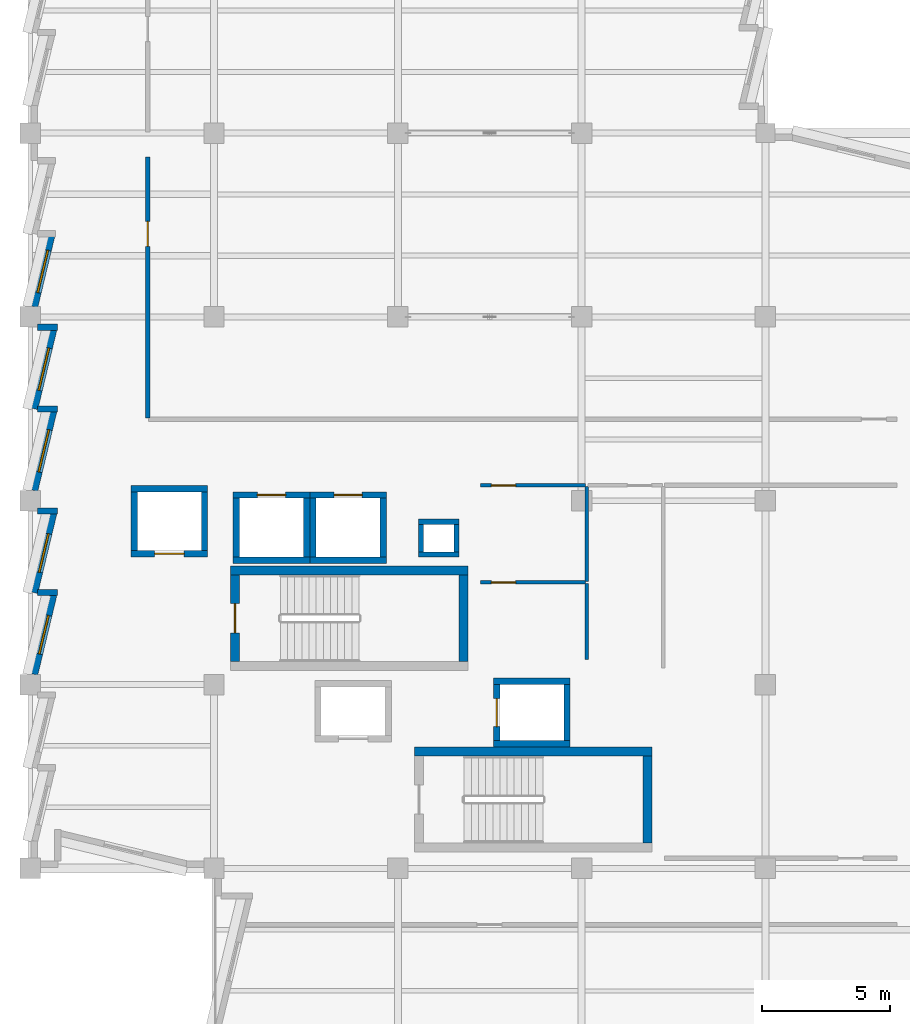
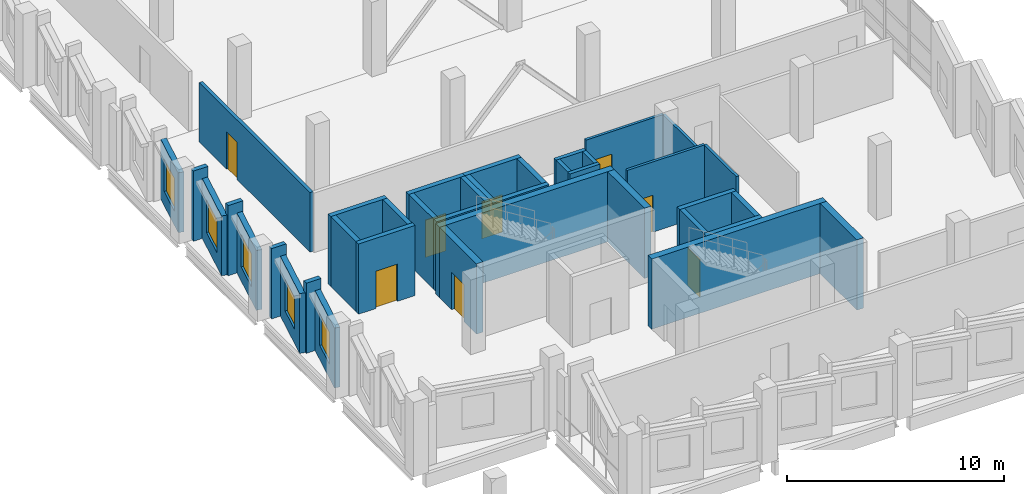
# One storey, part 67 of 94: 39 walls, 8 doors, 5 windows, 13 openings.
"""IFC4 building model written with IfcOpenShell, lengths in metres."""

from ifc_helpers import new_model, si_unit, direction, frame, frame_2d, origin, place, context, subcontext, project, spatial, rectangle, extrude, material, layer, layer_set, type_object, element, fill, save


model = new_model("IFC4")

# Units and contexts
model_context = context("Model", 3, precision=1e-05, world=origin(), true_north=direction((0.0, 1.0)))
body_context = subcontext(model_context, "Body", "Model", "MODEL_VIEW")
ifc_project = project(units=[si_unit("LENGTHUNIT", "METRE"), si_unit("AREAUNIT", "SQUARE_METRE"), si_unit("VOLUMEUNIT", "CUBIC_METRE"), si_unit("PLANEANGLEUNIT", "RADIAN"), si_unit("MASSUNIT", "GRAM", prefix="KILO")], contexts=[model_context])

# Site, building, storey
site_placement = place(None, origin())
site = spatial("IfcSite", under=ifc_project, at=site_placement, CompositionType="ELEMENT")
building_placement = place(site_placement, origin())
building = spatial("IfcBuilding", under=site, at=building_placement, Name="Kalmorath City Hall", CompositionType="ELEMENT")
storey_placement = place(building_placement, frame((0.0, 0.0, 14.699951171875)))
storey = spatial("IfcBuildingStorey", under=building, at=storey_placement, Name="L03", CompositionType="ELEMENT", Elevation=14.699951171875)

# Wall
ifc_material_1 = material(Name="Concrete C50/60", Category="concrete")
ifc_layer_1 = layer(ifc_material_1, 0.35009765625)
ifc_layer_set_1 = layer_set([ifc_layer_1], Name="Concrete C50/60")
wall_type_1 = type_object("IfcWallType", Name="Concrete core shear wall 350", PredefinedType="SHEAR", material=ifc_layer_set_1)
wall_1_placement = place(storey_placement, frame((17.14990234375, 18.875, 0.0), z_axis=(0.0, 0.0, 1.0), x_axis=(-1.0, 0.0, 0.0)))
element("IfcWall", 1, at=wall_1_placement, inside=storey, type_object=wall_type_1, Name="L03 C1 stair core shear wall N", PredefinedType="SHEAR", context=body_context, shape_type="SweptSolid", body=[
    extrude(rectangle(XDim=9.2998046875, YDim=0.35009765625, at=frame_2d((4.64990234375, 0.0))), origin(), (0.0, 0.0, 1.0), 3.949951171875),
])

# Wall, opening, door
wall_2_placement = place(storey_placement, frame((8.02490234375, 18.699951171875, 0.0), z_axis=(0.0, 0.0, 1.0), x_axis=(0.0, -1.0, 0.0)))
wall_2 = element("IfcWall", 2, at=wall_2_placement, inside=storey, type_object=wall_type_1, Name="L03 C1 stair core shear wall W", PredefinedType="SHEAR", context=body_context, shape_type="SweptSolid", body=[
    extrude(rectangle(XDim=3.39990234375, YDim=0.35009765625, at=frame_2d((1.699951171875, 0.0))), origin(), (0.0, 0.0, 1.0), 3.949951171875),
])
opening_1_placement = place(wall_2_placement, frame((1.125, 0.0, 0.0)))
opening_1 = element("IfcOpeningElement", 3, at=opening_1_placement, cuts=wall_2, Name="Opening D-L03-005", PredefinedType="OPENING", context=body_context, shape_type="SweptSolid", body=[
    extrude(rectangle(XDim=1.14990234375, YDim=2.10009765625, at=frame_2d((0.574951171875, 1.050048828125))), frame((0.0, 0.18505859375, 0.0), z_axis=(0.0, -1.0, 0.0), x_axis=(1.0, 0.0, 0.0)), (0.0, 0.0, 1.0), 0.3701171875),
])
ifc_material_2 = material(Name="Galvanised steel fire door", Category="steel")
door_type_1 = type_object("IfcDoorType", Name="Stair enclosure 90-min fire door 1150x2100", OperationType="NOTDEFINED", PredefinedType="DOOR", material=ifc_material_2)
door_1_placement = place(opening_1_placement, frame((1.14990234375, 0.0, 0.0), z_axis=(0.0, 0.0, 1.0), x_axis=(-1.0, 0.0, 0.0)))
door_1 = element("IfcDoor", 4, at=door_1_placement, inside=storey, type_object=door_type_1, Name="L03 door D-L03-005", OperationType="SINGLE_SWING_LEFT", OverallHeight=2.10009765625, OverallWidth=1.14990234375, PredefinedType="DOOR", context=body_context, shape_type="SweptSolid", body=[
    extrude(rectangle(XDim=1.14990234375, YDim=2.10009765625, at=frame_2d((0.574951171875, 1.050048828125))), frame((0.0, 0.02490234375, 0.0), z_axis=(0.0, -1.0, 0.0), x_axis=(1.0, 0.0, 0.0)), (0.0, 0.0, 1.0), 0.050048828125),
])
fill(opening_1, door_1)

# Walls
wall_3_placement = place(storey_placement, frame((16.97509765625, 15.300048828125, 0.0), z_axis=(0.0, 0.0, 1.0), x_axis=(0.0, 1.0, 0.0)))
element("IfcWall", 5, at=wall_3_placement, inside=storey, type_object=wall_type_1, Name="L03 C1 stair core shear wall E", PredefinedType="SHEAR", context=body_context, shape_type="SweptSolid", body=[
    extrude(rectangle(XDim=3.39990234375, YDim=0.35009765625, at=frame_2d((1.699951171875, 0.0))), origin(), (0.0, 0.0, 1.0), 3.949951171875),
])
wall_4_placement = place(storey_placement, frame((24.35009765625, 11.77490234375, 0.0), z_axis=(0.0, 0.0, 1.0), x_axis=(-1.0, 0.0, 0.0)))
element("IfcWall", 6, at=wall_4_placement, inside=storey, type_object=wall_type_1, Name="L03 C2 stair core shear wall N", PredefinedType="SHEAR", context=body_context, shape_type="SweptSolid", body=[
    extrude(rectangle(XDim=9.300048828125, YDim=0.35009765625, at=frame_2d((4.64990234375, 0.0))), origin(), (0.0, 0.0, 1.0), 3.949951171875),
])
wall_5_placement = place(storey_placement, frame((24.175048828125, 8.199951171875, 0.0), z_axis=(0.0, 0.0, 1.0), x_axis=(0.0, 1.0, 0.0)))
element("IfcWall", 7, at=wall_5_placement, inside=storey, type_object=wall_type_1, Name="L03 C2 stair core shear wall E", PredefinedType="SHEAR", context=body_context, shape_type="SweptSolid", body=[
    extrude(rectangle(XDim=3.400146484375, YDim=0.35009765625, at=frame_2d((1.7001953125, 0.0))), origin(), (0.0, 0.0, 1.0), 3.949951171875),
])

# Wall, opening, door
ifc_material_3 = material(Name="Concrete C50/60", Category="concrete")
ifc_layer_2 = layer(ifc_material_3, 0.25)
ifc_layer_set_2 = layer_set([ifc_layer_2], Name="Concrete C50/60")
wall_type_2 = type_object("IfcWallType", Name="Concrete lift shaft wall 250", PredefinedType="SHEAR", material=ifc_layer_set_2)
wall_6_placement = place(storey_placement, frame((3.949951171875, 19.52490234375, 0.0), z_axis=(0.0, 0.0, 1.0), x_axis=(1.0, 0.0, 0.0)))
wall_6 = element("IfcWall", 8, at=wall_6_placement, inside=storey, type_object=wall_type_2, Name="L03 FL1 lift shaft wall -y", PredefinedType="SHEAR", context=body_context, shape_type="SweptSolid", body=[
    extrude(rectangle(XDim=3.0, YDim=0.25, at=frame_2d((1.5, 0.0))), origin(), (0.0, 0.0, 1.0), 3.949951171875),
])
opening_2_placement = place(wall_6_placement, frame((0.925048828125, 0.0, 0.0)))
opening_2 = element("IfcOpeningElement", 9, at=opening_2_placement, cuts=wall_6, Name="Opening LD-014", PredefinedType="OPENING", context=body_context, shape_type="SweptSolid", body=[
    extrude(rectangle(XDim=1.14990234375, YDim=2.10009765625, at=frame_2d((0.574951171875, 1.050048828125))), frame((0.0, 0.135009765625, 0.0), z_axis=(0.0, -1.0, 0.0), x_axis=(1.0, 0.0, 0.0)), (0.0, 0.0, 1.0), 0.27001953125),
])
ifc_material_4 = material(Name="Stainless steel sliding landing door", Category="steel")
door_type_2 = type_object("IfcDoorType", Name="Firefighting lift sliding landing door 1150x2100", OperationType="SLIDING_TO_RIGHT", PredefinedType="DOOR", material=ifc_material_4)
door_2_placement = place(opening_2_placement, origin())
door_2 = element("IfcDoor", 10, at=door_2_placement, inside=storey, type_object=door_type_2, Name="L03 door LD-014", OperationType="SLIDING_TO_RIGHT", OverallHeight=2.10009765625, OverallWidth=1.14990234375, PredefinedType="DOOR", context=body_context, shape_type="SweptSolid", body=[
    extrude(rectangle(XDim=1.14990234375, YDim=2.10009765625, at=frame_2d((0.574951171875, 1.050048828125))), frame((0.0, 0.02490234375, 0.0), z_axis=(0.0, -1.0, 0.0), x_axis=(1.0, 0.0, 0.0)), (0.0, 0.0, 1.0), 0.050048828125),
])
fill(opening_2, door_2)

# Walls
wall_7_placement = place(storey_placement, frame((6.949951171875, 22.074951171875, 0.0), z_axis=(0.0, 0.0, 1.0), x_axis=(-1.0, 0.0, 0.0)))
element("IfcWall", 11, at=wall_7_placement, inside=storey, type_object=wall_type_2, Name="L03 FL1 lift shaft wall +y", PredefinedType="SHEAR", context=body_context, shape_type="SweptSolid", body=[
    extrude(rectangle(XDim=3.0, YDim=0.25, at=frame_2d((1.5, 0.0))), origin(), (0.0, 0.0, 1.0), 3.949951171875),
])
for number, where, z_axis, x_axis, name in (
    (12, (4.074951171875, 21.949951171875, 0.0), (0.0, 0.0, 1.0), (0.0, -1.0, 0.0), "L03 FL1 lift shaft wall -x"),
    (13, (6.824951171875, 19.64990234375, 0.0), (0.0, 0.0, 1.0), (0.0, 1.0, 0.0), "L03 FL1 lift shaft wall +x"),
):
    element("IfcWall", number, at=place(storey_placement, frame(where, z_axis=z_axis, x_axis=x_axis)), inside=storey, type_object=wall_type_2, Name=name, PredefinedType="SHEAR", context=body_context, shape_type="SweptSolid", body=[
        extrude(rectangle(XDim=2.300048828125, YDim=0.25, at=frame_2d((1.14990234375, 0.0))), origin(), (0.0, 0.0, 1.0), 3.949951171875),
    ])
wall_8_placement = place(storey_placement, frame((7.949951171875, 19.27490234375, 0.0), z_axis=(0.0, 0.0, 1.0), x_axis=(1.0, 0.0, 0.0)))
element("IfcWall", 14, at=wall_8_placement, inside=storey, type_object=wall_type_2, Name="L03 PL1 lift shaft wall -y", PredefinedType="SHEAR", context=body_context, shape_type="SweptSolid", body=[
    extrude(rectangle(XDim=3.0, YDim=0.25, at=frame_2d((1.5, 0.0))), origin(), (0.0, 0.0, 1.0), 3.949951171875),
])

# Wall, opening, door
wall_9_placement = place(storey_placement, frame((10.949951171875, 21.824951171875, 0.0), z_axis=(0.0, 0.0, 1.0), x_axis=(-1.0, 0.0, 0.0)))
wall_9 = element("IfcWall", 15, at=wall_9_placement, inside=storey, type_object=wall_type_2, Name="L03 PL1 lift shaft wall +y", PredefinedType="SHEAR", context=body_context, shape_type="SweptSolid", body=[
    extrude(rectangle(XDim=3.0, YDim=0.25, at=frame_2d((1.5, 0.0))), origin(), (0.0, 0.0, 1.0), 3.949951171875),
])
opening_3_placement = place(wall_9_placement, frame((0.949951171875, 0.0, 0.0)))
opening_3 = element("IfcOpeningElement", 16, at=opening_3_placement, cuts=wall_9, Name="Opening LD-023", PredefinedType="OPENING", context=body_context, shape_type="SweptSolid", body=[
    extrude(rectangle(XDim=1.10009765625, YDim=2.10009765625, at=frame_2d((0.550048828125, 1.050048828125))), frame((0.0, 0.135009765625, 0.0), z_axis=(0.0, -1.0, 0.0), x_axis=(1.0, 0.0, 0.0)), (0.0, 0.0, 1.0), 0.27001953125),
])
ifc_material_5 = material(Name="Stainless steel sliding landing door", Category="steel")
door_type_3 = type_object("IfcDoorType", Name="Passenger lift sliding landing door 1100x2100", OperationType="SLIDING_TO_LEFT", PredefinedType="DOOR", material=ifc_material_5)
door_3_placement = place(opening_3_placement, origin())
door_3 = element("IfcDoor", 17, at=door_3_placement, inside=storey, type_object=door_type_3, Name="L03 door LD-023", OperationType="SLIDING_TO_LEFT", OverallHeight=2.10009765625, OverallWidth=1.10009765625, PredefinedType="DOOR", context=body_context, shape_type="SweptSolid", body=[
    extrude(rectangle(XDim=1.10009765625, YDim=2.10009765625, at=frame_2d((0.550048828125, 1.050048828125))), frame((0.0, 0.02490234375, 0.0), z_axis=(0.0, -1.0, 0.0), x_axis=(1.0, 0.0, 0.0)), (0.0, 0.0, 1.0), 0.050048828125),
])
fill(opening_3, door_3)

# Walls
for number, where, z_axis, x_axis, name in (
    (18, (8.074951171875, 21.699951171875, 0.0), (0.0, 0.0, 1.0), (0.0, -1.0, 0.0), "L03 PL1 lift shaft wall -x"),
    (19, (10.824951171875, 19.39990234375, 0.0), (0.0, 0.0, 1.0), (0.0, 1.0, 0.0), "L03 PL1 lift shaft wall +x"),
):
    element("IfcWall", number, at=place(storey_placement, frame(where, z_axis=z_axis, x_axis=x_axis)), inside=storey, type_object=wall_type_2, Name=name, PredefinedType="SHEAR", context=body_context, shape_type="SweptSolid", body=[
        extrude(rectangle(XDim=2.300048828125, YDim=0.25, at=frame_2d((1.14990234375, 0.0))), origin(), (0.0, 0.0, 1.0), 3.949951171875),
    ])
wall_10_placement = place(storey_placement, frame((10.949951171875, 19.27490234375, 0.0), z_axis=(0.0, 0.0, 1.0), x_axis=(1.0, 0.0, 0.0)))
element("IfcWall", 20, at=wall_10_placement, inside=storey, type_object=wall_type_2, Name="L03 PL2 lift shaft wall -y", PredefinedType="SHEAR", context=body_context, shape_type="SweptSolid", body=[
    extrude(rectangle(XDim=3.0, YDim=0.25, at=frame_2d((1.5, 0.0))), origin(), (0.0, 0.0, 1.0), 3.949951171875),
])

# Wall, opening, door
wall_11_placement = place(storey_placement, frame((13.949951171875, 21.824951171875, 0.0), z_axis=(0.0, 0.0, 1.0), x_axis=(-1.0, 0.0, 0.0)))
wall_11 = element("IfcWall", 21, at=wall_11_placement, inside=storey, type_object=wall_type_2, Name="L03 PL2 lift shaft wall +y", PredefinedType="SHEAR", context=body_context, shape_type="SweptSolid", body=[
    extrude(rectangle(XDim=3.0, YDim=0.25, at=frame_2d((1.5, 0.0))), origin(), (0.0, 0.0, 1.0), 3.949951171875),
])
opening_4_placement = place(wall_11_placement, frame((0.949951171875, 0.0, 0.0)))
opening_4 = element("IfcOpeningElement", 22, at=opening_4_placement, cuts=wall_11, Name="Opening LD-032", PredefinedType="OPENING", context=body_context, shape_type="SweptSolid", body=[
    extrude(rectangle(XDim=1.10009765625, YDim=2.10009765625, at=frame_2d((0.550048828125, 1.050048828125))), frame((0.0, 0.135009765625, 0.0), z_axis=(0.0, -1.0, 0.0), x_axis=(1.0, 0.0, 0.0)), (0.0, 0.0, 1.0), 0.27001953125),
])
door_4_placement = place(opening_4_placement, origin())
door_4 = element("IfcDoor", 23, at=door_4_placement, inside=storey, type_object=door_type_3, Name="L03 door LD-032", OperationType="SLIDING_TO_LEFT", OverallHeight=2.10009765625, OverallWidth=1.10009765625, PredefinedType="DOOR", context=body_context, shape_type="SweptSolid", body=[
    extrude(rectangle(XDim=1.10009765625, YDim=2.10009765625, at=frame_2d((0.550048828125, 1.050048828125))), frame((0.0, 0.02490234375, 0.0), z_axis=(0.0, -1.0, 0.0), x_axis=(1.0, 0.0, 0.0)), (0.0, 0.0, 1.0), 0.050048828125),
])
fill(opening_4, door_4)

# Walls
for number, where, z_axis, x_axis, name in (
    (24, (11.074951171875, 21.699951171875, 0.0), (0.0, 0.0, 1.0), (0.0, -1.0, 0.0), "L03 PL2 lift shaft wall -x"),
    (25, (13.824951171875, 19.39990234375, 0.0), (0.0, 0.0, 1.0), (0.0, 1.0, 0.0), "L03 PL2 lift shaft wall +x"),
):
    element("IfcWall", number, at=place(storey_placement, frame(where, z_axis=z_axis, x_axis=x_axis)), inside=storey, type_object=wall_type_2, Name=name, PredefinedType="SHEAR", context=body_context, shape_type="SweptSolid", body=[
        extrude(rectangle(XDim=2.300048828125, YDim=0.25, at=frame_2d((1.14990234375, 0.0))), origin(), (0.0, 0.0, 1.0), 3.949951171875),
    ])
for number, where, z_axis, x_axis, name in (
    (26, (18.14990234375, 12.074951171875, 0.0), (0.0, 0.0, 1.0), (1.0, 0.0, 0.0), "L03 PL3 lift shaft wall -y"),
    (27, (21.14990234375, 14.52490234375, 0.0), (0.0, 0.0, 1.0), (-1.0, 0.0, 0.0), "L03 PL3 lift shaft wall +y"),
):
    element("IfcWall", number, at=place(storey_placement, frame(where, z_axis=z_axis, x_axis=x_axis)), inside=storey, type_object=wall_type_2, Name=name, PredefinedType="SHEAR", context=body_context, shape_type="SweptSolid", body=[
        extrude(rectangle(XDim=3.0, YDim=0.25, at=frame_2d((1.5, 0.0))), origin(), (0.0, 0.0, 1.0), 3.949951171875),
    ])

# Wall, opening, door
wall_12_placement = place(storey_placement, frame((18.27490234375, 14.39990234375, 0.0), z_axis=(0.0, 0.0, 1.0), x_axis=(0.0, -1.0, 0.0)))
wall_12 = element("IfcWall", 28, at=wall_12_placement, inside=storey, type_object=wall_type_2, Name="L03 PL3 lift shaft wall -x", PredefinedType="SHEAR", context=body_context, shape_type="SweptSolid", body=[
    extrude(rectangle(XDim=2.199951171875, YDim=0.25, at=frame_2d((1.10009765625, 0.0))), origin(), (0.0, 0.0, 1.0), 3.949951171875),
])
opening_5_placement = place(wall_12_placement, frame((0.550048828125, 0.0, 0.0)))
opening_5 = element("IfcOpeningElement", 29, at=opening_5_placement, cuts=wall_12, Name="Opening LD-059", PredefinedType="OPENING", context=body_context, shape_type="SweptSolid", body=[
    extrude(rectangle(XDim=1.10009765625, YDim=2.10009765625, at=frame_2d((0.550048828125, 1.050048828125))), frame((0.0, 0.135009765625, 0.0), z_axis=(0.0, -1.0, 0.0), x_axis=(1.0, 0.0, 0.0)), (0.0, 0.0, 1.0), 0.27001953125),
])
door_5_placement = place(opening_5_placement, origin())
door_5 = element("IfcDoor", 30, at=door_5_placement, inside=storey, type_object=door_type_3, Name="L03 door LD-059", OperationType="SLIDING_TO_LEFT", OverallHeight=2.10009765625, OverallWidth=1.10009765625, PredefinedType="DOOR", context=body_context, shape_type="SweptSolid", body=[
    extrude(rectangle(XDim=1.10009765625, YDim=2.10009765625, at=frame_2d((0.550048828125, 1.050048828125))), frame((0.0, 0.02490234375, 0.0), z_axis=(0.0, -1.0, 0.0), x_axis=(1.0, 0.0, 0.0)), (0.0, 0.0, 1.0), 0.050048828125),
])
fill(opening_5, door_5)

# Walls
wall_13_placement = place(storey_placement, frame((21.02490234375, 12.199951171875, 0.0), z_axis=(0.0, 0.0, 1.0), x_axis=(0.0, 1.0, 0.0)))
element("IfcWall", 31, at=wall_13_placement, inside=storey, type_object=wall_type_2, Name="L03 PL3 lift shaft wall +x", PredefinedType="SHEAR", context=body_context, shape_type="SweptSolid", body=[
    extrude(rectangle(XDim=2.199951171875, YDim=0.25, at=frame_2d((1.10009765625, 0.0))), origin(), (0.0, 0.0, 1.0), 3.949951171875),
])
ifc_material_6 = material(Name="Concrete C40/50", Category="concrete")
ifc_layer_3 = layer(ifc_material_6, 0.199951171875)
ifc_layer_set_3 = layer_set([ifc_layer_3], Name="Concrete C40/50")
wall_type_3 = type_object("IfcWallType", Name="Concrete service riser wall 200", PredefinedType="SOLIDWALL", material=ifc_layer_set_3)
for number, where, z_axis, x_axis, name in (
    (32, (15.199951171875, 19.5, 0.0), (0.0, 0.0, 1.0), (1.0, 0.0, 0.0), "L03 RSR-1 riser shaft wall S"),
    (33, (16.800048828125, 20.780029296875, 0.0), (0.0, 0.0, 1.0), (-1.0, 0.0, 0.0), "L03 RSR-1 riser shaft wall N"),
):
    element("IfcWall", number, at=place(storey_placement, frame(where, z_axis=z_axis, x_axis=x_axis)), inside=storey, type_object=wall_type_3, Name=name, PredefinedType="SOLIDWALL", context=body_context, shape_type="SweptSolid", body=[
        extrude(rectangle(XDim=1.60009765625, YDim=0.199951171875, at=frame_2d((0.800048828125, 0.0))), origin(), (0.0, 0.0, 1.0), 3.949951171875),
    ])
for number, where, z_axis, x_axis, name in (
    (34, (15.300048828125, 20.679931640625, 0.0), (0.0, 0.0, 1.0), (0.0, -1.0, 0.0), "L03 RSR-1 riser shaft wall W"),
    (35, (16.699951171875, 19.60009765625, 0.0), (0.0, 0.0, 1.0), (0.0, 1.0, 0.0), "L03 RSR-1 riser shaft wall E"),
):
    element("IfcWall", number, at=place(storey_placement, frame(where, z_axis=z_axis, x_axis=x_axis)), inside=storey, type_object=wall_type_3, Name=name, PredefinedType="SOLIDWALL", context=body_context, shape_type="SweptSolid", body=[
        extrude(rectangle(XDim=1.079833984375, YDim=0.199951171875, at=frame_2d((0.5400390625, 0.0))), origin(), (0.0, 0.0, 1.0), 3.949951171875),
    ])

# Wall, opening, door
ifc_material_7 = material(Name="Fire-rated acoustic gypsum partition")
ifc_layer_4 = layer(ifc_material_7, 0.179931640625)
ifc_layer_set_4 = layer_set([ifc_layer_4], Name="Fire-rated acoustic gypsum partition")
wall_type_4 = type_object("IfcWallType", Name="One-hour corridor fire partition 180", PredefinedType="PARTITIONING", material=ifc_layer_set_4)
wall_14_placement = place(storey_placement, frame((4.60009765625, 24.840087890625, 0.0), z_axis=(0.0, 0.0, 1.0), x_axis=(0.0, 1.0, 0.0)))
wall_14 = element("IfcWall", 36, at=wall_14_placement, inside=storey, type_object=wall_type_4, Name="L03 interior partition PW2 #129", PredefinedType="PARTITIONING", context=body_context, shape_type="SweptSolid", body=[
    extrude(rectangle(XDim=10.219970703125, YDim=0.179931640625, at=frame_2d((5.10986328125, 0.0))), origin(), (0.0, 0.0, 1.0), 3.35205078125),
])
opening_6_placement = place(wall_14_placement, frame((6.719970703125, 0.0, 0.0)))
opening_6 = element("IfcOpeningElement", 37, at=opening_6_placement, cuts=wall_14, Name="Opening D-L03-222", PredefinedType="OPENING", context=body_context, shape_type="SweptSolid", body=[
    extrude(rectangle(XDim=0.97998046875, YDim=2.10009765625, at=frame_2d((0.489990234375, 1.050048828125))), frame((0.0, 0.099853515625, 0.0), z_axis=(0.0, -1.0, 0.0), x_axis=(1.0, 0.0, 0.0)), (0.0, 0.0, 1.0), 0.199951171875),
])
ifc_material_8 = material(Name="Hardwood veneer door", Category="wood")
door_type_4 = type_object("IfcDoorType", Name="Municipal suite single door 980x2100", OperationType="NOTDEFINED", PredefinedType="DOOR", material=ifc_material_8)
door_6_placement = place(opening_6_placement, origin())
door_6 = element("IfcDoor", 38, at=door_6_placement, inside=storey, type_object=door_type_4, Name="L03 door D-L03-222", OperationType="SINGLE_SWING_RIGHT", OverallHeight=2.10009765625, OverallWidth=0.97998046875, PredefinedType="DOOR", context=body_context, shape_type="SweptSolid", body=[
    extrude(rectangle(XDim=0.97998046875, YDim=2.10009765625, at=frame_2d((0.489990234375, 1.050048828125))), frame((0.0, 0.02490234375, 0.0), z_axis=(0.0, -1.0, 0.0), x_axis=(1.0, 0.0, 0.0)), (0.0, 0.0, 1.0), 0.050048828125),
])
fill(opening_6, door_6)

# Walls
ifc_material_9 = material(Name="Precast concrete C40/50", Category="concrete")
ifc_layer_5 = layer(ifc_material_9, 0.239990234375)
ifc_layer_set_5 = layer_set([ifc_layer_5], Name="Precast concrete C40/50")
wall_type_5 = type_object("IfcWallType", Name="Precast sawtooth cheek wall 240", PredefinedType="SOLIDWALL", material=ifc_layer_set_5)
for number, where, z_axis, x_axis, name in (
    (39, (1.072998046875, 18.0, 0.0), (0.0, 0.0, 1.0), (-1.0, 0.0, 0.0), "L03 sawtooth return cheek #537"),
    (40, (1.072998046875, 21.198974609375, 0.0), (0.0, 0.0, 1.0), (-1.0, 0.0, 0.0), "L03 sawtooth return cheek #539"),
    (41, (1.072998046875, 25.199951171875, 0.0), (0.0, 0.0, 1.0), (-1.0, 0.0, 0.0), "L03 sawtooth return cheek #541"),
    (42, (1.072998046875, 28.39892578125, 0.0), (0.0, 0.0, 1.0), (-1.0, 0.0, 0.0), "L03 sawtooth return cheek #543"),
):
    element("IfcWall", number, at=place(storey_placement, frame(where, z_axis=z_axis, x_axis=x_axis)), inside=storey, type_object=wall_type_5, Name=name, PredefinedType="SOLIDWALL", context=body_context, shape_type="SweptSolid", body=[
        extrude(rectangle(XDim=0.781005859375, YDim=0.239990234375, at=frame_2d((0.390625, 0.0))), origin(), (0.0, 0.0, 1.0), 3.949951171875),
    ])

# Wall, opening, window
ifc_material_10 = material(Name="Precast concrete C40/50", Category="concrete")
ifc_layer_6 = layer(ifc_material_10, 0.280029296875)
ifc_layer_set_6 = layer_set([ifc_layer_6], Name="Precast concrete C40/50")
wall_type_6 = type_object("IfcWallType", Name="Precast sawtooth facade wall 280", PredefinedType="SOLIDWALL", material=ifc_layer_set_6)
wall_15_placement = place(storey_placement, frame((0.159912109375, 14.801025390625, 0.0), z_axis=(0.0, 0.0, 1.0), x_axis=(0.233445204235, 0.972369958719, 0.0)))
wall_15 = element("IfcWall", 43, at=wall_15_placement, inside=storey, type_object=wall_type_6, Name="L03 sawtooth precast frame #536", PredefinedType="SOLIDWALL", context=body_context, shape_type="SweptSolid", body=[
    extrude(rectangle(XDim=3.195068359375, YDim=0.280029296875, at=frame_2d((1.59765625, 0.0))), origin(), (0.0, 0.0, 1.0), 3.365966796875),
])
opening_7_placement = place(wall_15_placement, frame((0.822509765625, 0.0, 0.800048828125)))
opening_7 = element("IfcOpeningElement", 44, at=opening_7_placement, cuts=wall_15, Name="Opening WN5", PredefinedType="OPENING", context=body_context, shape_type="SweptSolid", body=[
    extrude(rectangle(XDim=1.550048828125, YDim=1.800048828125, at=frame_2d((0.77490234375, 0.89990234375))), frame((0.0, 0.14990234375, 0.0), z_axis=(0.0, -1.0, 0.0), x_axis=(1.0, 0.0, 0.0)), (0.0, 0.0, 1.0), 0.300048828125),
])
ifc_material_11 = material(Name="Aluminium and laminated glass", Category="aluminium")
window_type_1 = type_object("IfcWindowType", Name="Sawtooth corner bay window 1550x1800", PartitioningType="SINGLE_PANEL", PredefinedType="WINDOW", material=ifc_material_11)
window_1_placement = place(opening_7_placement, origin())
window_1 = element("IfcWindow", 45, at=window_1_placement, inside=storey, type_object=window_type_1, Name="L03 window WN5-279", OverallHeight=1.800048828125, OverallWidth=1.550048828125, PartitioningType="SINGLE_PANEL", PredefinedType="WINDOW", context=body_context, shape_type="SweptSolid", body=[
    extrude(rectangle(XDim=1.550048828125, YDim=1.800048828125, at=frame_2d((0.77490234375, 0.89990234375))), frame((0.0, 0.030029296875, 0.0), z_axis=(0.0, -1.0, 0.0), x_axis=(1.0, 0.0, 0.0)), (0.0, 0.0, 1.0), 0.06005859375),
])
fill(opening_7, window_1)

wall_16_placement = place(storey_placement, frame((0.159912109375, 18.0, 0.0), z_axis=(0.0, 0.0, 1.0), x_axis=(0.233445204235, 0.972369958719, 0.0)))
wall_16 = element("IfcWall", 46, at=wall_16_placement, inside=storey, type_object=wall_type_6, Name="L03 sawtooth precast frame #538", PredefinedType="SOLIDWALL", context=body_context, shape_type="SweptSolid", body=[
    extrude(rectangle(XDim=3.195068359375, YDim=0.280029296875, at=frame_2d((1.59765625, 0.0))), origin(), (0.0, 0.0, 1.0), 3.365966796875),
])
opening_8_placement = place(wall_16_placement, frame((0.822509765625, 0.0, 0.800048828125)))
opening_8 = element("IfcOpeningElement", 47, at=opening_8_placement, cuts=wall_16, Name="Opening WN5", PredefinedType="OPENING", context=body_context, shape_type="SweptSolid", body=[
    extrude(rectangle(XDim=1.550048828125, YDim=1.800048828125, at=frame_2d((0.77490234375, 0.89990234375))), frame((0.0, 0.14990234375, 0.0), z_axis=(0.0, -1.0, 0.0), x_axis=(1.0, 0.0, 0.0)), (0.0, 0.0, 1.0), 0.300048828125),
])
window_2_placement = place(opening_8_placement, origin())
window_2 = element("IfcWindow", 48, at=window_2_placement, inside=storey, type_object=window_type_1, Name="L03 window WN5-280", OverallHeight=1.800048828125, OverallWidth=1.550048828125, PartitioningType="SINGLE_PANEL", PredefinedType="WINDOW", context=body_context, shape_type="SweptSolid", body=[
    extrude(rectangle(XDim=1.550048828125, YDim=1.800048828125, at=frame_2d((0.77490234375, 0.89990234375))), frame((0.0, 0.030029296875, 0.0), z_axis=(0.0, -1.0, 0.0), x_axis=(1.0, 0.0, 0.0)), (0.0, 0.0, 1.0), 0.06005859375),
])
fill(opening_8, window_2)

wall_17_placement = place(storey_placement, frame((0.159912109375, 22.0009765625, 0.0), z_axis=(0.0, 0.0, 1.0), x_axis=(0.233445204235, 0.972369958719, 0.0)))
wall_17 = element("IfcWall", 49, at=wall_17_placement, inside=storey, type_object=wall_type_6, Name="L03 sawtooth precast frame #540", PredefinedType="SOLIDWALL", context=body_context, shape_type="SweptSolid", body=[
    extrude(rectangle(XDim=3.195068359375, YDim=0.280029296875, at=frame_2d((1.59765625, 0.0))), origin(), (0.0, 0.0, 1.0), 3.365966796875),
])
opening_9_placement = place(wall_17_placement, frame((0.747314453125, 0.0, 0.800048828125)))
opening_9 = element("IfcOpeningElement", 50, at=opening_9_placement, cuts=wall_17, Name="Opening WN6", PredefinedType="OPENING", context=body_context, shape_type="SweptSolid", body=[
    extrude(rectangle(XDim=1.699951171875, YDim=1.85009765625, at=frame_2d((0.85009765625, 0.925048828125))), frame((0.0, 0.14990234375, 0.0), z_axis=(0.0, -1.0, 0.0), x_axis=(1.0, 0.0, 0.0)), (0.0, 0.0, 1.0), 0.300048828125),
])
ifc_material_12 = material(Name="Aluminium and laminated glass", Category="aluminium")
window_type_2 = type_object("IfcWindowType", Name="Sawtooth west wing window 1700x1850", PartitioningType="SINGLE_PANEL", PredefinedType="WINDOW", material=ifc_material_12)
window_3_placement = place(opening_9_placement, origin())
window_3 = element("IfcWindow", 51, at=window_3_placement, inside=storey, type_object=window_type_2, Name="L03 window WN6-281", OverallHeight=1.85009765625, OverallWidth=1.699951171875, PartitioningType="SINGLE_PANEL", PredefinedType="WINDOW", context=body_context, shape_type="SweptSolid", body=[
    extrude(rectangle(XDim=1.699951171875, YDim=1.85009765625, at=frame_2d((0.85009765625, 0.925048828125))), frame((0.0, 0.030029296875, 0.0), z_axis=(0.0, -1.0, 0.0), x_axis=(1.0, 0.0, 0.0)), (0.0, 0.0, 1.0), 0.06005859375),
])
fill(opening_9, window_3)

wall_18_placement = place(storey_placement, frame((0.159912109375, 25.199951171875, 0.0), z_axis=(0.0, 0.0, 1.0), x_axis=(0.233445204235, 0.972369958719, 0.0)))
wall_18 = element("IfcWall", 52, at=wall_18_placement, inside=storey, type_object=wall_type_6, Name="L03 sawtooth precast frame #542", PredefinedType="SOLIDWALL", context=body_context, shape_type="SweptSolid", body=[
    extrude(rectangle(XDim=3.195068359375, YDim=0.280029296875, at=frame_2d((1.59765625, 0.0))), origin(), (0.0, 0.0, 1.0), 3.365966796875),
])
opening_10_placement = place(wall_18_placement, frame((0.747314453125, 0.0, 0.800048828125)))
opening_10 = element("IfcOpeningElement", 53, at=opening_10_placement, cuts=wall_18, Name="Opening WN6", PredefinedType="OPENING", context=body_context, shape_type="SweptSolid", body=[
    extrude(rectangle(XDim=1.699951171875, YDim=1.85009765625, at=frame_2d((0.85009765625, 0.925048828125))), frame((0.0, 0.14990234375, 0.0), z_axis=(0.0, -1.0, 0.0), x_axis=(1.0, 0.0, 0.0)), (0.0, 0.0, 1.0), 0.300048828125),
])
window_4_placement = place(opening_10_placement, origin())
window_4 = element("IfcWindow", 54, at=window_4_placement, inside=storey, type_object=window_type_2, Name="L03 window WN6-282", OverallHeight=1.85009765625, OverallWidth=1.699951171875, PartitioningType="SINGLE_PANEL", PredefinedType="WINDOW", context=body_context, shape_type="SweptSolid", body=[
    extrude(rectangle(XDim=1.699951171875, YDim=1.85009765625, at=frame_2d((0.85009765625, 0.925048828125))), frame((0.0, 0.030029296875, 0.0), z_axis=(0.0, -1.0, 0.0), x_axis=(1.0, 0.0, 0.0)), (0.0, 0.0, 1.0), 0.06005859375),
])
fill(opening_10, window_4)

wall_19_placement = place(storey_placement, frame((0.159912109375, 29.200927734375, 0.0), z_axis=(0.0, 0.0, 1.0), x_axis=(0.233480047176, 0.972361593015, 0.0)))
wall_19 = element("IfcWall", 55, at=wall_19_placement, inside=storey, type_object=wall_type_6, Name="L03 sawtooth precast frame #545", PredefinedType="SOLIDWALL", context=body_context, shape_type="SweptSolid", body=[
    extrude(rectangle(XDim=2.84521484375, YDim=0.280029296875, at=frame_2d((1.422607421875, 0.0))), origin(), (0.0, 0.0, 1.0), 3.365966796875),
])
opening_11_placement = place(wall_19_placement, frame((0.572509765625, 0.0, 0.800048828125)))
opening_11 = element("IfcOpeningElement", 56, at=opening_11_placement, cuts=wall_19, Name="Opening WN6", PredefinedType="OPENING", context=body_context, shape_type="SweptSolid", body=[
    extrude(rectangle(XDim=1.699951171875, YDim=1.85009765625, at=frame_2d((0.85009765625, 0.925048828125))), frame((0.0, 0.14990234375, 0.0), z_axis=(0.0, -1.0, 0.0), x_axis=(1.0, 0.0, 0.0)), (0.0, 0.0, 1.0), 0.300048828125),
])
window_5_placement = place(opening_11_placement, origin())
window_5 = element("IfcWindow", 57, at=window_5_placement, inside=storey, type_object=window_type_2, Name="L03 window WN6-283", OverallHeight=1.85009765625, OverallWidth=1.699951171875, PartitioningType="SINGLE_PANEL", PredefinedType="WINDOW", context=body_context, shape_type="SweptSolid", body=[
    extrude(rectangle(XDim=1.699951171875, YDim=1.85009765625, at=frame_2d((0.85009765625, 0.925048828125))), frame((0.0, 0.030029296875, 0.0), z_axis=(0.0, -1.0, 0.0), x_axis=(1.0, 0.0, 0.0)), (0.0, 0.0, 1.0), 0.06005859375),
])
fill(opening_11, window_5)

# Wall, opening, door
ifc_material_13 = material(Name="Moisture-resistant fire-rated partition")
ifc_layer_7 = layer(ifc_material_13, 0.139892578125)
ifc_layer_set_7 = layer_set([ifc_layer_7], Name="Moisture-resistant fire-rated partition")
wall_type_7 = type_object("IfcWallType", Name="Restroom wet-wall tile partition 140", PredefinedType="PARTITIONING", material=ifc_layer_set_7)
wall_20_placement = place(storey_placement, frame((17.639892578125, 22.199951171875, 0.0), z_axis=(0.0, 0.0, 1.0), x_axis=(1.0, 0.0, 0.0)))
wall_20 = element("IfcWall", 58, at=wall_20_placement, inside=storey, type_object=wall_type_7, Name="L03 interior partition PW5 #135", PredefinedType="PARTITIONING", context=body_context, shape_type="SweptSolid", body=[
    extrude(rectangle(XDim=4.1201171875, YDim=0.139892578125, at=frame_2d((2.06005859375, 0.0))), origin(), (0.0, 0.0, 1.0), 3.35205078125),
])
opening_12_placement = place(wall_20_placement, frame((0.419921875, 0.0, 0.0)))
opening_12 = element("IfcOpeningElement", 59, at=opening_12_placement, cuts=wall_20, Name="Opening D-L03-239", PredefinedType="OPENING", context=body_context, shape_type="SweptSolid", body=[
    extrude(rectangle(XDim=0.949951171875, YDim=2.080078125, at=frame_2d((0.47509765625, 1.0400390625))), frame((0.0, 0.079833984375, 0.0), z_axis=(0.0, -1.0, 0.0), x_axis=(1.0, 0.0, 0.0)), (0.0, 0.0, 1.0), 0.159912109375),
])
ifc_material_14 = material(Name="Laminate solid-core door")
door_type_5 = type_object("IfcDoorType", Name="Restroom accessible door 950x2080", OperationType="NOTDEFINED", PredefinedType="DOOR", material=ifc_material_14)
door_7_placement = place(opening_12_placement, origin())
door_7 = element("IfcDoor", 60, at=door_7_placement, inside=storey, type_object=door_type_5, Name="L03 door D-L03-239", OperationType="SINGLE_SWING_LEFT", OverallHeight=2.080078125, OverallWidth=0.949951171875, PredefinedType="DOOR", context=body_context, shape_type="SweptSolid", body=[
    extrude(rectangle(XDim=0.949951171875, YDim=2.080078125, at=frame_2d((0.47509765625, 1.0400390625))), frame((0.0, 0.02490234375, 0.0), z_axis=(0.0, -1.0, 0.0), x_axis=(1.0, 0.0, 0.0)), (0.0, 0.0, 1.0), 0.050048828125),
])
fill(opening_12, door_7)

wall_21_placement = place(storey_placement, frame((17.639892578125, 18.39990234375, 0.0), z_axis=(0.0, 0.0, 1.0), x_axis=(1.0, 0.0, 0.0)))
wall_21 = element("IfcWall", 61, at=wall_21_placement, inside=storey, type_object=wall_type_7, Name="L03 interior partition PW5 #153", PredefinedType="PARTITIONING", context=body_context, shape_type="SweptSolid", body=[
    extrude(rectangle(XDim=4.1201171875, YDim=0.139892578125, at=frame_2d((2.06005859375, 0.0))), origin(), (0.0, 0.0, 1.0), 3.949951171875),
])
opening_13_placement = place(wall_21_placement, frame((0.419921875, 0.0, 0.0)))
opening_13 = element("IfcOpeningElement", 62, at=opening_13_placement, cuts=wall_21, Name="Opening D-L03-238", PredefinedType="OPENING", context=body_context, shape_type="SweptSolid", body=[
    extrude(rectangle(XDim=0.949951171875, YDim=2.080078125, at=frame_2d((0.47509765625, 1.0400390625))), frame((0.0, 0.079833984375, 0.0), z_axis=(0.0, -1.0, 0.0), x_axis=(1.0, 0.0, 0.0)), (0.0, 0.0, 1.0), 0.159912109375),
])
door_8_placement = place(opening_13_placement, origin())
door_8 = element("IfcDoor", 63, at=door_8_placement, inside=storey, type_object=door_type_5, Name="L03 door D-L03-238", OperationType="SINGLE_SWING_RIGHT", OverallHeight=2.080078125, OverallWidth=0.949951171875, PredefinedType="DOOR", context=body_context, shape_type="SweptSolid", body=[
    extrude(rectangle(XDim=0.949951171875, YDim=2.080078125, at=frame_2d((0.47509765625, 1.0400390625))), frame((0.0, 0.02490234375, 0.0), z_axis=(0.0, -1.0, 0.0), x_axis=(1.0, 0.0, 0.0)), (0.0, 0.0, 1.0), 0.050048828125),
])
fill(opening_13, door_8)

# Walls
wall_22_placement = place(storey_placement, frame((21.800048828125, 15.389892578125, 0.0), z_axis=(0.0, 0.0, 1.0), x_axis=(0.0, 1.0, 0.0)))
element("IfcWall", 64, at=wall_22_placement, inside=storey, type_object=wall_type_7, Name="L03 interior partition PW5 #154", PredefinedType="PARTITIONING", context=body_context, shape_type="SweptSolid", body=[
    extrude(rectangle(XDim=2.97021484375, YDim=0.139892578125, at=frame_2d((1.485107421875, 0.0))), origin(), (0.0, 0.0, 1.0), 3.949951171875),
])
wall_23_placement = place(storey_placement, frame((21.800048828125, 18.43994140625, 0.0), z_axis=(0.0, 0.0, 1.0), x_axis=(0.0, 1.0, 0.0)))
element("IfcWall", 65, at=wall_23_placement, inside=storey, type_object=wall_type_7, Name="L03 interior partition PW5 #155", PredefinedType="PARTITIONING", context=body_context, shape_type="SweptSolid", body=[
    extrude(rectangle(XDim=3.719970703125, YDim=0.139892578125, at=frame_2d((1.85986328125, 0.0))), origin(), (0.0, 0.0, 1.0), 3.35205078125),
])

save(model, "model.ifc")
